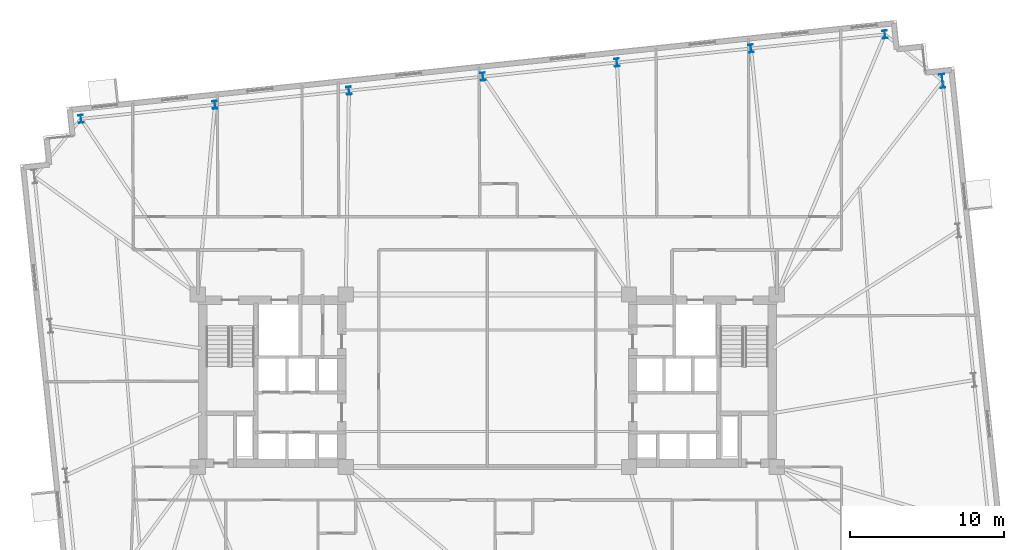
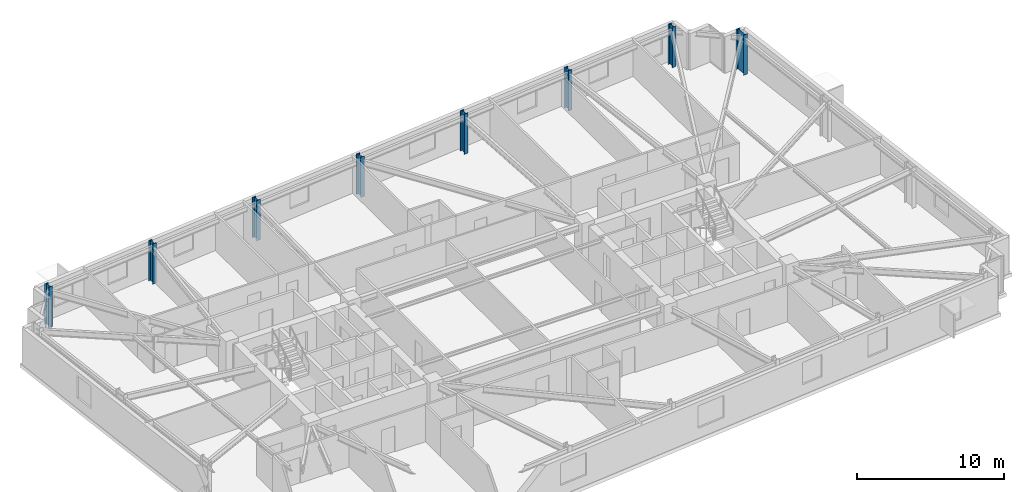
# One storey, part 3 of 17: 8 columns.
"""IFC4 building model written with IfcOpenShell, lengths in metres."""

from ifc_helpers import new_model, si_unit, direction, frame, origin, origin_2d, place, context, subcontext, project, spatial, i_section, extrude, material, material_profile, profile_set, type_object, element, save


model = new_model("IFC4")

# Units and contexts
model_context = context("Model", 3, precision=1e-05, world=origin(), true_north=direction((0.0, 1.0)))
body_context = subcontext(model_context, "Body", "Model", "MODEL_VIEW")
ifc_project = project(units=[si_unit("LENGTHUNIT", "METRE"), si_unit("AREAUNIT", "SQUARE_METRE"), si_unit("VOLUMEUNIT", "CUBIC_METRE"), si_unit("PLANEANGLEUNIT", "RADIAN"), si_unit("MASSUNIT", "GRAM", prefix="KILO")], contexts=[model_context])

# Site, building, storey
site_placement = place(None, origin())
site = spatial("IfcSite", under=ifc_project, at=site_placement, CompositionType="ELEMENT")
building_placement = place(site_placement, origin())
building = spatial("IfcBuilding", under=site, at=building_placement, Name="Qobustan Lattice House", CompositionType="ELEMENT")
storey_placement = place(building_placement, frame((0.0, 0.0, 112.5)))
storey = spatial("IfcBuildingStorey", under=building, at=storey_placement, Name="L31", CompositionType="ELEMENT", Elevation=112.5)

# Columns
ifc_material_1 = material(Name="Steel S355", Category="steel")
ifc_material_profile_1 = material_profile(ifc_material_1, i_section(OverallWidth=0.300048828125, OverallDepth=0.89990234375, WebThickness=0.0185546875, FlangeThickness=0.034912109375, FilletRadius=0.030029296875, at=origin_2d()), Name="HEB900")
ifc_profile_set_1 = profile_set([ifc_material_profile_1], Name="Steel S355")
column_type_1 = type_object("IfcColumnType", Name="COL-ST-HEB900", PredefinedType="COLUMN", material=ifc_profile_set_1)
column_placement = place(storey_placement, frame((29.55615234375, 19.468994140625, 0.0), z_axis=(0.0, 0.0, 1.0), x_axis=(0.994521895368, 0.104528463268, 0.0)))
element("IfcColumn", 1, at=column_placement, inside=storey, type_object=column_type_1, Name="L31 B2 perimeter column E4", PredefinedType="COLUMN", context=body_context, shape_type="SweptSolid", body=[
    extrude(i_section(OverallWidth=0.300048828125, OverallDepth=0.89990234375, WebThickness=0.0185546875, FlangeThickness=0.034912109375, FilletRadius=0.030029296875, at=origin_2d()), origin(), (0.0, 0.0, 1.0), 3.35009765625),
])
ifc_material_2 = material(Name="Steel S355", Category="steel")
ifc_material_profile_2 = material_profile(ifc_material_2, i_section(OverallWidth=0.305908203125, OverallDepth=0.52392578125, WebThickness=0.02099609375, FlangeThickness=0.0400390625, FilletRadius=0.027099609375, at=origin_2d()), Name="HEM500")
ifc_profile_set_2 = profile_set([ifc_material_profile_2], Name="Steel S355")
column_type_2 = type_object("IfcColumnType", Name="COL-ST-HEM500", PredefinedType="COLUMN", material=ifc_profile_set_2)
for number, where, z_axis, x_axis, name in (
    (2, (25.819580078125, 22.4951171875, 0.0), (0.0, 0.0, 1.0), (0.994521895368, 0.104528463268, 0.0), "L31 B2 perimeter column N1"),
    (3, (17.117431640625, 21.580322265625, 0.0), (0.0, 0.0, 1.0), (0.994521895368, 0.104528463268, 0.0), "L31 B2 perimeter column N2"),
    (4, (8.415283203125, 20.665771484375, 0.0), (0.0, 0.0, 1.0), (0.994521895368, 0.104528463268, 0.0), "L31 B2 perimeter column N3"),
    (5, (-0.28662109375, 19.751220703125, 0.0), (0.0, 0.0, 1.0), (0.994521895368, 0.104528463268, 0.0), "L31 B2 perimeter column N4"),
    (6, (-8.98876953125, 18.83642578125, 0.0), (0.0, 0.0, 1.0), (0.994521895368, 0.104528463268, 0.0), "L31 B2 perimeter column N5"),
    (7, (-17.69091796875, 17.921875, 0.0), (0.0, 0.0, 1.0), (0.994521895368, 0.104528463268, 0.0), "L31 B2 perimeter column N6"),
    (8, (-26.392822265625, 17.007080078125, 0.0), (0.0, 0.0, 1.0), (0.994521895368, 0.104528463268, 0.0), "L31 B2 perimeter column N7"),
):
    element("IfcColumn", number, at=place(storey_placement, frame(where, z_axis=z_axis, x_axis=x_axis)), inside=storey, type_object=column_type_2, Name=name, PredefinedType="COLUMN", context=body_context, shape_type="SweptSolid", body=[
        extrude(i_section(OverallWidth=0.305908203125, OverallDepth=0.52392578125, WebThickness=0.02099609375, FlangeThickness=0.0400390625, FilletRadius=0.027099609375, at=origin_2d()), origin(), (0.0, 0.0, 1.0), 3.35009765625),
    ])

save(model, "model.ifc")
